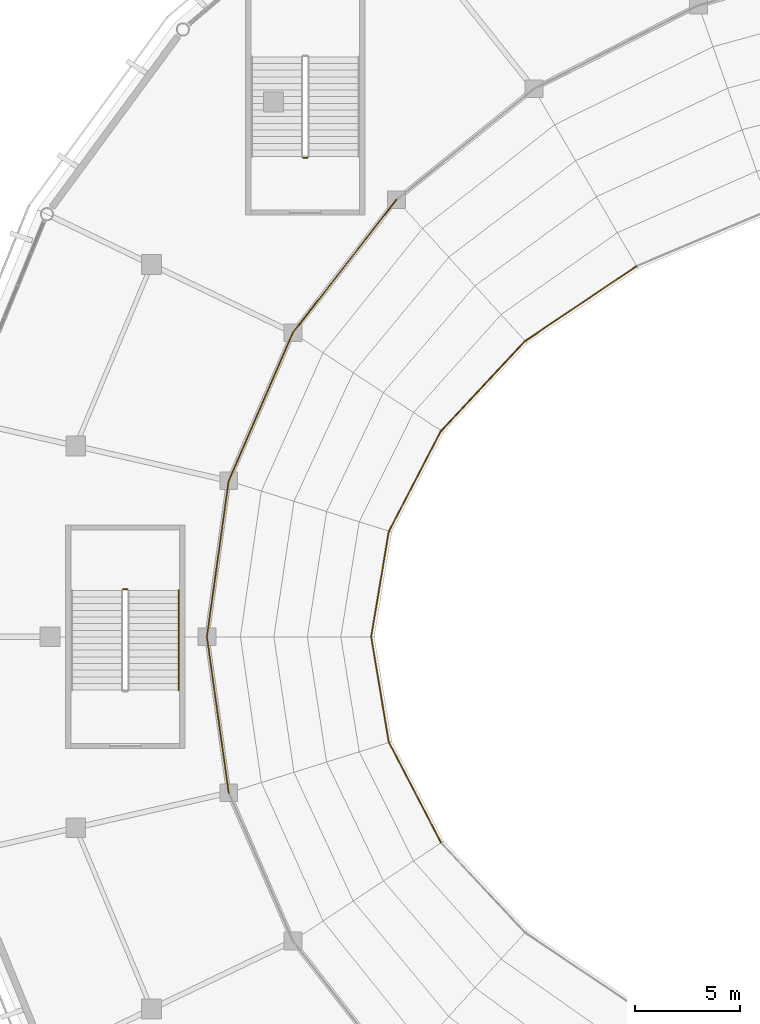
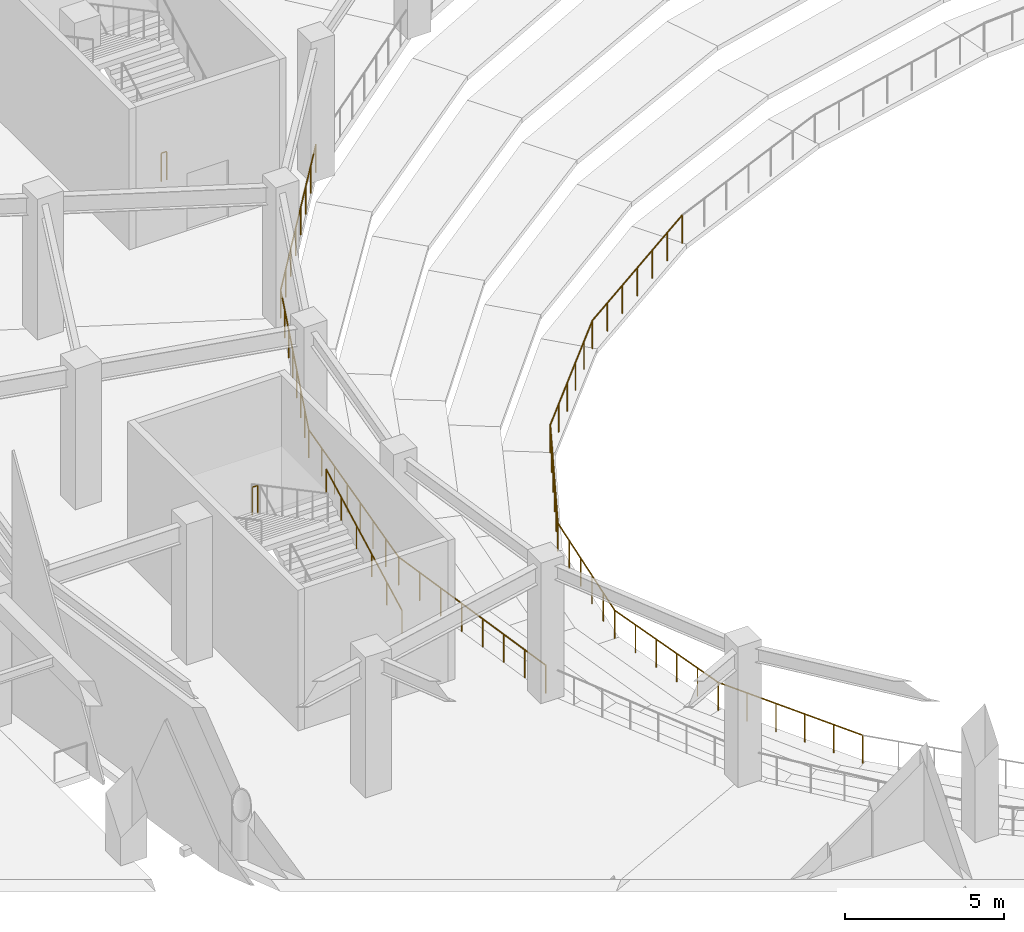
# One storey, part 102 of 120: 13 railings.
"""IFC4 building model written with IfcOpenShell, lengths in metres."""

import ifcopenshell
import ifcopenshell.guid

model = None  # the IFC model being written
_history = None  # IfcOwnerHistory: only IFC2X3 demands one
_inside = {}  # id of a spatial element -> (the spatial element, [elements in it])
_under = {}  # id of a project, library or spatial element -> (it, [spatial elements below it])
_declared = {}  # id of a project -> (the project, [libraries it declares])
_typed = {}  # id of a type object -> (the type object, [elements of that type])
_made_of = {}  # id of a material, layer set ... -> (it, [elements and type objects made of it])


def new_model(schema):
    """Start an empty IFC model of exactly this schema.

    Asked for "IFC4X3", IfcOpenShell would pick the latest addendum, in which some entities
    have other attributes; the version numbers below select the first issue.
    IFC2X3 requires an IfcOwnerHistory on every rooted entity: one is made here for all.
    """
    global model, _history
    if schema == "IFC4X3":
        model = ifcopenshell.file(schema_version=(4, 3, 0, 0))
    else:
        model = ifcopenshell.file(schema=schema)
    _inside.clear()
    _under.clear()
    _declared.clear()
    _typed.clear()
    _made_of.clear()
    _history = None
    if model.schema == "IFC2X3":
        org = make("IfcOrganization", Name="unknown")
        user = make(
            "IfcPersonAndOrganization",
            ThePerson=make("IfcPerson", FamilyName="unknown"),
            TheOrganization=org,
        )
        app = make(
            "IfcApplication",
            ApplicationDeveloper=org,
            Version="unknown",
            ApplicationFullName="unknown",
            ApplicationIdentifier="unknown",
        )
        _history = make(
            "IfcOwnerHistory",
            OwningUser=user,
            OwningApplication=app,
            ChangeAction="ADDED",
            CreationDate=0,
        )
    return model


def make(cls, **values):
    """One entity of the class cls with the attributes given. An attribute that is None is left unset."""
    return model.create_entity(
        cls, **{name: value for name, value in values.items() if value is not None}
    )


def rooted(cls, **values):
    """An entity with a GlobalId (a new one), such as an element, a storey or a relation."""
    return make(cls, GlobalId=ifcopenshell.guid.new(), OwnerHistory=_history, **values)


def si_unit(unit_type, name, prefix=None):
    """IfcSIUnit, for example si_unit("LENGTHUNIT", "METRE", prefix="MILLI")."""
    return make("IfcSIUnit", UnitType=unit_type, Prefix=prefix, Name=name)


def assignment(units):
    """IfcUnitAssignment: the units of a project."""
    return None if units is None else make("IfcUnitAssignment", Units=units)


def point(xyz):
    """IfcCartesianPoint."""
    return None if xyz is None else make("IfcCartesianPoint", Coordinates=xyz)


def direction(xyz):
    """IfcDirection."""
    return None if xyz is None else make("IfcDirection", DirectionRatios=xyz)


def frame(location, z_axis=None, x_axis=None):
    """IfcAxis2Placement3D, a coordinate frame: its origin and axes. An axis left out is left unset."""
    return make(
        "IfcAxis2Placement3D",
        Location=point(location),
        Axis=direction(z_axis),
        RefDirection=direction(x_axis),
    )


def frame_2d(location, x_axis=None):
    """IfcAxis2Placement2D, a coordinate frame in the plane: its origin and x axis."""
    return make(
        "IfcAxis2Placement2D", Location=point(location), RefDirection=direction(x_axis)
    )


def origin():
    """The frame at (0, 0, 0) with its axes left unset."""
    return frame((0.0, 0.0, 0.0))


def origin_2d():
    """The frame at (0, 0) in the plane with its x axis left unset."""
    return frame_2d((0.0, 0.0))


def place(relative_to, where):
    """IfcLocalPlacement: puts the frame where relative to a parent placement (None: the world)."""
    return make(
        "IfcLocalPlacement", PlacementRelTo=relative_to, RelativePlacement=where
    )


def context(
    kind, dimensions, precision=None, world=None, true_north=None, identifier=None
):
    """IfcGeometricRepresentationContext, for example the 3D "Model" context."""
    return make(
        "IfcGeometricRepresentationContext",
        ContextIdentifier=identifier,
        ContextType=kind,
        CoordinateSpaceDimension=dimensions,
        Precision=precision,
        WorldCoordinateSystem=world,
        TrueNorth=true_north,
    )


def subcontext(parent, identifier, kind, view, scale=None):
    """IfcGeometricRepresentationSubContext, for example "Body" below "Model"."""
    return make(
        "IfcGeometricRepresentationSubContext",
        ContextIdentifier=identifier,
        ContextType=kind,
        ParentContext=parent,
        TargetScale=scale,
        TargetView=view,
    )


def project(units=None, contexts=None):
    """IfcProject with its units and contexts."""
    return rooted(
        "IfcProject",
        Name="project",
        RepresentationContexts=contexts,
        UnitsInContext=assignment(units),
    )


def spatial(cls, under=None, at=None, **own):
    """A site, building, storey or space (cls), placed at a placement, below another one or the project."""
    s = rooted(cls, ObjectPlacement=at, **own)
    if under is not None:
        _under.setdefault(under.id(), (under, []))[1].append(s)
    return s


def profile(cls, at=None, kind="AREA", **sizes):
    """A parametric profile (cls). Its sizes go by their IFC names, for example OverallWidth=200.0."""
    return make(cls, ProfileType=kind, Position=at, **sizes)


def circle(**sizes):
    """IfcCircleProfileDef."""
    return profile("IfcCircleProfileDef", **sizes)


def extrude(swept, where, along, depth):
    """IfcExtrudedAreaSolid: the profile swept, set in the frame where, extruded along a direction by depth."""
    return make(
        "IfcExtrudedAreaSolid",
        SweptArea=swept,
        Position=where,
        ExtrudedDirection=direction(along),
        Depth=depth,
    )


def shape(context_of_items, identifier, shape_type, items):
    """IfcShapeRepresentation: the items that make up one representation, for example the "Body"."""
    return make(
        "IfcShapeRepresentation",
        ContextOfItems=context_of_items,
        RepresentationIdentifier=identifier,
        RepresentationType=shape_type,
        Items=items,
    )


def material(Name=None, Category=None):
    """IfcMaterial."""
    return make("IfcMaterial", Name=Name, Category=Category)


def made_of(thing, what):
    """Note that an element or type object is made of a material, layer set ...; save() writes the relation."""
    if what is not None:
        _made_of.setdefault(what.id(), (what, []))[1].append(thing)
    return thing


def type_object(cls, material=None, **own):
    """A type object (cls), such as IfcWallType, which elements share."""
    return made_of(rooted(cls, **own), material)


def element(
    cls,
    number,
    at=None,
    inside=None,
    cuts=None,
    type_object=None,
    material=None,
    context=None,
    identifier="Body",
    shape_type=None,
    held_by="IfcProductDefinitionShape",
    body=None,
    shapes=None,
    **own,
):
    """One element of the class cls, such as IfcWall. Its Tag is "e" and its number.

    at: its placement. inside: the storey or other place that contains it. cuts: it is an
    opening in that element (IfcRelVoidsElement). A single representation is given by context,
    identifier, shape_type and body (its items); several are given by shapes. held_by: the class
    of the entity that holds the representations. save() writes the other relations.
    """
    e = rooted(cls, Tag="e%d" % number, ObjectPlacement=at, **own)
    if body is not None:
        shapes = [shape(context, identifier, shape_type, body)]
    if shapes is not None:
        e.Representation = make(held_by, Representations=shapes)
    if inside is not None:
        _inside.setdefault(inside.id(), (inside, []))[1].append(e)
    if cuts is not None:
        rooted(
            "IfcRelVoidsElement", RelatingBuildingElement=cuts, RelatedOpeningElement=e
        )
    if type_object is not None:
        _typed.setdefault(type_object.id(), (type_object, []))[1].append(e)
    return made_of(e, material)


def aggregate(whole, parts):
    """IfcRelAggregates: a whole, such as a stair, and the parts it consists of."""
    return rooted("IfcRelAggregates", RelatingObject=whole, RelatedObjects=parts)


def save(model, path):
    """Write the relations noted so far, then the file.

    IfcRelAggregates (storeys below a building ...), IfcRelContainedInSpatialStructure (elements
    in a storey), IfcRelDefinesByType, IfcRelAssociatesMaterial and IfcRelDeclares: one each for
    every whole, place, type object, material and project.
    """
    for whole, parts in _under.values():
        aggregate(whole, parts)
    for where, things in _inside.values():
        rooted(
            "IfcRelContainedInSpatialStructure",
            RelatedElements=things,
            RelatingStructure=where,
        )
    for kind, things in _typed.values():
        rooted("IfcRelDefinesByType", RelatedObjects=things, RelatingType=kind)
    for what, things in _made_of.values():
        rooted("IfcRelAssociatesMaterial", RelatedObjects=things, RelatingMaterial=what)
    for by, libraries in _declared.values():
        rooted("IfcRelDeclares", RelatingContext=by, RelatedDefinitions=libraries)
    model.write(path)


model = new_model("IFC4")

# Units and contexts
model_context = context("Model", 3, precision=1e-05, world=origin(), true_north=direction((0.0, 1.0)))
body_context = subcontext(model_context, "Body", "Model", "MODEL_VIEW")
ifc_project = project(units=[si_unit("LENGTHUNIT", "METRE"), si_unit("AREAUNIT", "SQUARE_METRE"), si_unit("VOLUMEUNIT", "CUBIC_METRE"), si_unit("PLANEANGLEUNIT", "RADIAN"), si_unit("MASSUNIT", "GRAM", prefix="KILO")], contexts=[model_context])

# Site, building, storey
site_placement = place(None, origin())
site = spatial("IfcSite", under=ifc_project, at=site_placement, CompositionType="ELEMENT")
building_placement = place(site_placement, origin())
building = spatial("IfcBuilding", under=site, at=building_placement, Name="Cuetzalor Civic Arena", CompositionType="ELEMENT")
storey_placement = place(building_placement, frame((0.0, 0.0, 6.0)))
storey = spatial("IfcBuildingStorey", under=building, at=storey_placement, Name="L01", CompositionType="ELEMENT", Elevation=6.0)

# Railings
ifc_material_1 = material(Name="Reseda-green Steel S355 and laminated glass guard", Category="steel")
railing_type_1 = type_object("IfcRailingType", Name="BowlSightlineGuard_1100", PredefinedType="BALUSTRADE", material=ifc_material_1)
railing_1_placement = place(storey_placement, frame((-20.98046875, 17.70849609375, -4.800048828125)))
element("IfcRailing", 1, at=railing_1_placement, inside=storey, type_object=railing_type_1, Name="Lower Bowl Front Sightline Guard S11", PredefinedType="BALUSTRADE", context=body_context, shape_type="SweptSolid", body=[
    extrude(circle(Radius=0.02392578125, at=origin_2d()), frame((0.0, 0.0, 1.076171875), z_axis=(-0.829574202753, -0.558396491864, 0.0), x_axis=(0.558396491864, -0.829574202753, 0.0)), (0.0, 0.0, 1.0), 6.422607421875),
    extrude(circle(Radius=0.02099609375, at=origin_2d()), origin(), (0.0, 0.0, 1.0), 1.052001953125),
    extrude(circle(Radius=0.02099609375, at=origin_2d()), frame((-0.887939453125, -0.59765625, 0.0)), (0.0, 0.0, 1.0), 1.052001953125),
    extrude(circle(Radius=0.02099609375, at=origin_2d()), frame((-1.776123046875, -1.195556640625, 0.0)), (0.0, 0.0, 1.0), 1.052001953125),
    extrude(circle(Radius=0.02099609375, at=origin_2d()), frame((-2.6640625, -1.793212890625, 0.0)), (0.0, 0.0, 1.0), 1.052001953125),
    extrude(circle(Radius=0.02099609375, at=origin_2d()), frame((-3.552001953125, -2.390869140625, 0.0)), (0.0, 0.0, 1.0), 1.052001953125),
    extrude(circle(Radius=0.02099609375, at=origin_2d()), frame((-4.440185546875, -2.98876953125, 0.0)), (0.0, 0.0, 1.0), 1.052001953125),
    extrude(circle(Radius=0.02099609375, at=origin_2d()), frame((-5.328125, -3.58642578125, 0.0)), (0.0, 0.0, 1.0), 1.052001953125),
])
railing_2_placement = place(storey_placement, frame((-26.30859375, 14.1220703125, -4.800048828125)))
element("IfcRailing", 2, at=railing_2_placement, inside=storey, type_object=railing_type_1, Name="Lower Bowl Front Sightline Guard S12", PredefinedType="BALUSTRADE", context=body_context, shape_type="SweptSolid", body=[
    extrude(circle(Radius=0.02392578125, at=origin_2d()), frame((0.0, 0.0, 1.076171875), z_axis=(-0.68237895225, -0.73099860843, 0.0), x_axis=(0.73099860843, -0.68237895225, 0.0)), (0.0, 0.0, 1.0), 5.875),
    extrude(circle(Radius=0.02099609375, at=origin_2d()), origin(), (0.0, 0.0, 1.0), 1.052001953125),
    extrude(circle(Radius=0.02099609375, at=origin_2d()), frame((-0.8017578125, -0.85888671875, 0.0)), (0.0, 0.0, 1.0), 1.052001953125),
    extrude(circle(Radius=0.02099609375, at=origin_2d()), frame((-1.603515625, -1.7177734375, 0.0)), (0.0, 0.0, 1.0), 1.052001953125),
    extrude(circle(Radius=0.02099609375, at=origin_2d()), frame((-2.405517578125, -2.576904296875, 0.0)), (0.0, 0.0, 1.0), 1.052001953125),
    extrude(circle(Radius=0.02099609375, at=origin_2d()), frame((-3.207275390625, -3.435791015625, 0.0)), (0.0, 0.0, 1.0), 1.052001953125),
    extrude(circle(Radius=0.02099609375, at=origin_2d()), frame((-4.009033203125, -4.294677734375, 0.0)), (0.0, 0.0, 1.0), 1.052001953125),
])
railing_3_placement = place(storey_placement, frame((-30.317626953125, 9.827392578125, -4.800048828125)))
element("IfcRailing", 3, at=railing_3_placement, inside=storey, type_object=railing_type_1, Name="Lower Bowl Front Sightline Guard S13", PredefinedType="BALUSTRADE", context=body_context, shape_type="SweptSolid", body=[
    extrude(circle(Radius=0.02392578125, at=origin_2d()), frame((0.0, 0.0, 1.076171875), z_axis=(-0.46125728024, -0.88726643204, 0.0), x_axis=(0.88726643204, -0.46125728024, 0.0)), (0.0, 0.0, 1.0), 5.3955078125),
    extrude(circle(Radius=0.02099609375, at=origin_2d()), origin(), (0.0, 0.0, 1.0), 1.052001953125),
    extrude(circle(Radius=0.02099609375, at=origin_2d()), frame((-0.497802734375, -0.95751953125, 0.0)), (0.0, 0.0, 1.0), 1.052001953125),
    extrude(circle(Radius=0.02099609375, at=origin_2d()), frame((-0.99560546875, -1.9150390625, 0.0)), (0.0, 0.0, 1.0), 1.052001953125),
    extrude(circle(Radius=0.02099609375, at=origin_2d()), frame((-1.4931640625, -2.872314453125, 0.0)), (0.0, 0.0, 1.0), 1.052001953125),
    extrude(circle(Radius=0.02099609375, at=origin_2d()), frame((-1.990966796875, -3.829833984375, 0.0)), (0.0, 0.0, 1.0), 1.052001953125),
    extrude(circle(Radius=0.02099609375, at=origin_2d()), frame((-2.48876953125, -4.787353515625, 0.0)), (0.0, 0.0, 1.0), 1.052001953125),
])
railing_4_placement = place(storey_placement, frame((-32.806396484375, 5.0400390625, -4.800048828125)))
element("IfcRailing", 4, at=railing_4_placement, inside=storey, type_object=railing_type_1, Name="Lower Bowl Front Sightline Guard S14", PredefinedType="BALUSTRADE", context=body_context, shape_type="SweptSolid", body=[
    extrude(circle(Radius=0.02392578125, at=origin_2d()), frame((0.0, 0.0, 1.076171875), z_axis=(-0.165065227875, -0.986282652462, 0.0), x_axis=(0.986282652462, -0.165065227875, 0.0)), (0.0, 0.0, 1.0), 5.110107421875),
    extrude(circle(Radius=0.02099609375, at=origin_2d()), origin(), (0.0, 0.0, 1.0), 1.052001953125),
    extrude(circle(Radius=0.02099609375, at=origin_2d()), frame((-0.168701171875, -1.008056640625, 0.0)), (0.0, 0.0, 1.0), 1.052001953125),
    extrude(circle(Radius=0.02099609375, at=origin_2d()), frame((-0.33740234375, -2.01611328125, 0.0)), (0.0, 0.0, 1.0), 1.052001953125),
    extrude(circle(Radius=0.02099609375, at=origin_2d()), frame((-0.506103515625, -3.02392578125, 0.0)), (0.0, 0.0, 1.0), 1.052001953125),
    extrude(circle(Radius=0.02099609375, at=origin_2d()), frame((-0.6748046875, -4.031982421875, 0.0)), (0.0, 0.0, 1.0), 1.052001953125),
    extrude(circle(Radius=0.02099609375, at=origin_2d()), frame((-0.843505859375, -5.0400390625, 0.0)), (0.0, 0.0, 1.0), 1.052001953125),
])
railing_5_placement = place(storey_placement, frame((-33.64990234375, 0.0, -4.800048828125)))
element("IfcRailing", 5, at=railing_5_placement, inside=storey, type_object=railing_type_1, Name="Lower Bowl Front Sightline Guard S15", PredefinedType="BALUSTRADE", context=body_context, shape_type="SweptSolid", body=[
    extrude(circle(Radius=0.02392578125, at=origin_2d()), frame((0.0, 0.0, 1.076171875), z_axis=(0.165065227875, -0.986282652462, 0.0), x_axis=(0.986282652462, 0.165065227875, 0.0)), (0.0, 0.0, 1.0), 5.110107421875),
    extrude(circle(Radius=0.02099609375, at=origin_2d()), origin(), (0.0, 0.0, 1.0), 1.052001953125),
    extrude(circle(Radius=0.02099609375, at=origin_2d()), frame((0.168701171875, -1.008056640625, 0.0)), (0.0, 0.0, 1.0), 1.052001953125),
    extrude(circle(Radius=0.02099609375, at=origin_2d()), frame((0.33740234375, -2.01611328125, 0.0)), (0.0, 0.0, 1.0), 1.052001953125),
    extrude(circle(Radius=0.02099609375, at=origin_2d()), frame((0.506103515625, -3.02392578125, 0.0)), (0.0, 0.0, 1.0), 1.052001953125),
    extrude(circle(Radius=0.02099609375, at=origin_2d()), frame((0.6748046875, -4.031982421875, 0.0)), (0.0, 0.0, 1.0), 1.052001953125),
    extrude(circle(Radius=0.02099609375, at=origin_2d()), frame((0.843505859375, -5.0400390625, 0.0)), (0.0, 0.0, 1.0), 1.052001953125),
])
railing_6_placement = place(storey_placement, frame((-32.806396484375, -5.0400390625, -4.800048828125)))
element("IfcRailing", 6, at=railing_6_placement, inside=storey, type_object=railing_type_1, Name="Lower Bowl Front Sightline Guard S16", PredefinedType="BALUSTRADE", context=body_context, shape_type="SweptSolid", body=[
    extrude(circle(Radius=0.02392578125, at=origin_2d()), frame((0.0, 0.0, 1.076171875), z_axis=(0.46125728024, -0.88726643204, 0.0), x_axis=(0.88726643204, 0.46125728024, 0.0)), (0.0, 0.0, 1.0), 5.3955078125),
    extrude(circle(Radius=0.02099609375, at=origin_2d()), origin(), (0.0, 0.0, 1.0), 1.052001953125),
    extrude(circle(Radius=0.02099609375, at=origin_2d()), frame((0.497802734375, -0.95751953125, 0.0)), (0.0, 0.0, 1.0), 1.052001953125),
    extrude(circle(Radius=0.02099609375, at=origin_2d()), frame((0.99560546875, -1.9150390625, 0.0)), (0.0, 0.0, 1.0), 1.052001953125),
    extrude(circle(Radius=0.02099609375, at=origin_2d()), frame((1.4931640625, -2.872314453125, 0.0)), (0.0, 0.0, 1.0), 1.052001953125),
    extrude(circle(Radius=0.02099609375, at=origin_2d()), frame((1.990966796875, -3.829833984375, 0.0)), (0.0, 0.0, 1.0), 1.052001953125),
    extrude(circle(Radius=0.02099609375, at=origin_2d()), frame((2.48876953125, -4.787353515625, 0.0)), (0.0, 0.0, 1.0), 1.052001953125),
])
railing_7_placement = place(storey_placement, frame((-32.446044921875, 20.886962890625, 0.0)))
element("IfcRailing", 7, at=railing_7_placement, inside=storey, type_object=railing_type_1, Name="Lower Bowl Concourse Rim Balustrade S12", PredefinedType="BALUSTRADE", context=body_context, shape_type="SweptSolid", body=[
    extrude(circle(Radius=0.02392578125, at=origin_2d()), frame((0.0, 0.0, 1.076171875), z_axis=(-0.614234549024, -0.78912351301, 0.0), x_axis=(0.78912351301, -0.614234549024, 0.0)), (0.0, 0.0, 1.0), 8.049072265625),
    extrude(circle(Radius=0.02099609375, at=origin_2d()), origin(), (0.0, 0.0, 1.0), 1.052001953125),
    extrude(circle(Radius=0.02099609375, at=origin_2d()), frame((-0.706298828125, -0.907470703125, 0.0)), (0.0, 0.0, 1.0), 1.052001953125),
    extrude(circle(Radius=0.02099609375, at=origin_2d()), frame((-1.41259765625, -1.814697265625, 0.0)), (0.0, 0.0, 1.0), 1.052001953125),
    extrude(circle(Radius=0.02099609375, at=origin_2d()), frame((-2.118896484375, -2.72216796875, 0.0)), (0.0, 0.0, 1.0), 1.052001953125),
    extrude(circle(Radius=0.02099609375, at=origin_2d()), frame((-2.8251953125, -3.629638671875, 0.0)), (0.0, 0.0, 1.0), 1.052001953125),
    extrude(circle(Radius=0.02099609375, at=origin_2d()), frame((-3.531494140625, -4.537109375, 0.0)), (0.0, 0.0, 1.0), 1.052001953125),
    extrude(circle(Radius=0.02099609375, at=origin_2d()), frame((-4.23779296875, -5.4443359375, 0.0)), (0.0, 0.0, 1.0), 1.052001953125),
    extrude(circle(Radius=0.02099609375, at=origin_2d()), frame((-4.944091796875, -6.351806640625, 0.0)), (0.0, 0.0, 1.0), 1.052001953125),
])
railing_8_placement = place(storey_placement, frame((-37.39013671875, 14.53515625, 0.0)))
element("IfcRailing", 8, at=railing_8_placement, inside=storey, type_object=railing_type_1, Name="Lower Bowl Concourse Rim Balustrade S13", PredefinedType="BALUSTRADE", context=body_context, shape_type="SweptSolid", body=[
    extrude(circle(Radius=0.02392578125, at=origin_2d()), frame((0.0, 0.0, 1.076171875), z_axis=(-0.397726401809, -0.917504065007, 0.0), x_axis=(0.917504065007, -0.397726401809, 0.0)), (0.0, 0.0, 1.0), 7.71728515625),
    extrude(circle(Radius=0.02099609375, at=origin_2d()), origin(), (0.0, 0.0, 1.0), 1.052001953125),
    extrude(circle(Radius=0.02099609375, at=origin_2d()), frame((-0.4384765625, -1.011474609375, 0.0)), (0.0, 0.0, 1.0), 1.052001953125),
    extrude(circle(Radius=0.02099609375, at=origin_2d()), frame((-0.876953125, -2.02294921875, 0.0)), (0.0, 0.0, 1.0), 1.052001953125),
    extrude(circle(Radius=0.02099609375, at=origin_2d()), frame((-1.3154296875, -3.034423828125, 0.0)), (0.0, 0.0, 1.0), 1.052001953125),
    extrude(circle(Radius=0.02099609375, at=origin_2d()), frame((-1.75390625, -4.046142578125, 0.0)), (0.0, 0.0, 1.0), 1.052001953125),
    extrude(circle(Radius=0.02099609375, at=origin_2d()), frame((-2.1923828125, -5.0576171875, 0.0)), (0.0, 0.0, 1.0), 1.052001953125),
    extrude(circle(Radius=0.02099609375, at=origin_2d()), frame((-2.630859375, -6.069091796875, 0.0)), (0.0, 0.0, 1.0), 1.052001953125),
    extrude(circle(Radius=0.02099609375, at=origin_2d()), frame((-3.0693359375, -7.08056640625, 0.0)), (0.0, 0.0, 1.0), 1.052001953125),
])
railing_9_placement = place(storey_placement, frame((-40.45947265625, 7.45458984375, 0.0)))
element("IfcRailing", 9, at=railing_9_placement, inside=storey, type_object=railing_type_1, Name="Lower Bowl Concourse Rim Balustrade S14", PredefinedType="BALUSTRADE", context=body_context, shape_type="SweptSolid", body=[
    extrude(circle(Radius=0.02392578125, at=origin_2d()), frame((0.0, 0.0, 1.076171875), z_axis=(-0.138241906656, -0.990398493155, 0.0), x_axis=(0.990398493155, -0.138241906656, 0.0)), (0.0, 0.0, 1.0), 7.52685546875),
    extrude(circle(Radius=0.02099609375, at=origin_2d()), origin(), (0.0, 0.0, 1.0), 1.052001953125),
    extrude(circle(Radius=0.02099609375, at=origin_2d()), frame((-0.148681640625, -1.06494140625, 0.0)), (0.0, 0.0, 1.0), 1.052001953125),
    extrude(circle(Radius=0.02099609375, at=origin_2d()), frame((-0.29736328125, -2.1298828125, 0.0)), (0.0, 0.0, 1.0), 1.052001953125),
    extrude(circle(Radius=0.02099609375, at=origin_2d()), frame((-0.446044921875, -3.19482421875, 0.0)), (0.0, 0.0, 1.0), 1.052001953125),
    extrude(circle(Radius=0.02099609375, at=origin_2d()), frame((-0.594482421875, -4.259765625, 0.0)), (0.0, 0.0, 1.0), 1.052001953125),
    extrude(circle(Radius=0.02099609375, at=origin_2d()), frame((-0.7431640625, -5.32470703125, 0.0)), (0.0, 0.0, 1.0), 1.052001953125),
    extrude(circle(Radius=0.02099609375, at=origin_2d()), frame((-0.891845703125, -6.3896484375, 0.0)), (0.0, 0.0, 1.0), 1.052001953125),
    extrude(circle(Radius=0.02099609375, at=origin_2d()), frame((-1.04052734375, -7.45458984375, 0.0)), (0.0, 0.0, 1.0), 1.052001953125),
])
railing_10_placement = place(storey_placement, frame((-41.5, 0.0, 0.0)))
element("IfcRailing", 10, at=railing_10_placement, inside=storey, type_object=railing_type_1, Name="Lower Bowl Concourse Rim Balustrade S15", PredefinedType="BALUSTRADE", context=body_context, shape_type="SweptSolid", body=[
    extrude(circle(Radius=0.02392578125, at=origin_2d()), frame((0.0, 0.0, 1.076171875), z_axis=(0.138241906656, -0.990398493155, 0.0), x_axis=(0.990398493155, 0.138241906656, 0.0)), (0.0, 0.0, 1.0), 7.52685546875),
    extrude(circle(Radius=0.02099609375, at=origin_2d()), origin(), (0.0, 0.0, 1.0), 1.052001953125),
    extrude(circle(Radius=0.02099609375, at=origin_2d()), frame((0.148681640625, -1.06494140625, 0.0)), (0.0, 0.0, 1.0), 1.052001953125),
    extrude(circle(Radius=0.02099609375, at=origin_2d()), frame((0.29736328125, -2.1298828125, 0.0)), (0.0, 0.0, 1.0), 1.052001953125),
    extrude(circle(Radius=0.02099609375, at=origin_2d()), frame((0.446044921875, -3.19482421875, 0.0)), (0.0, 0.0, 1.0), 1.052001953125),
    extrude(circle(Radius=0.02099609375, at=origin_2d()), frame((0.594482421875, -4.259765625, 0.0)), (0.0, 0.0, 1.0), 1.052001953125),
    extrude(circle(Radius=0.02099609375, at=origin_2d()), frame((0.7431640625, -5.32470703125, 0.0)), (0.0, 0.0, 1.0), 1.052001953125),
    extrude(circle(Radius=0.02099609375, at=origin_2d()), frame((0.891845703125, -6.3896484375, 0.0)), (0.0, 0.0, 1.0), 1.052001953125),
    extrude(circle(Radius=0.02099609375, at=origin_2d()), frame((1.04052734375, -7.45458984375, 0.0)), (0.0, 0.0, 1.0), 1.052001953125),
])
ifc_material_2 = material(Name="Reseda-green architectural Steel S355 balustrade", Category="steel")
railing_type_2 = type_object("IfcRailingType", Name="InteriorVoidBalustrade_1100", PredefinedType="BALUSTRADE", material=ifc_material_2)
for number, where, name in (
    (11, (-36.699951171875, 22.89990234375, 0.0), "L01 ST-04 stair guard 4"),
    (12, (-45.300048828125, 2.27001953125, 2.699951171875), "L01 ST-05 stair guard 2"),
):
    element("IfcRailing", number, at=place(storey_placement, frame(where)), inside=storey, type_object=railing_type_2, Name=name, PredefinedType="BALUSTRADE", context=body_context, shape_type="SweptSolid", body=[
        extrude(circle(Radius=0.02392578125, at=origin_2d()), frame((0.0, 0.0, 1.0810546875), z_axis=(-1.0, 0.0, 0.0), x_axis=(0.0, -1.0, 0.0)), (0.0, 0.0, 1.0), 0.199951171875),
        extrude(circle(Radius=0.02099609375, at=origin_2d()), origin(), (0.0, 0.0, 1.0), 1.056884765625),
        extrude(circle(Radius=0.02099609375, at=origin_2d()), frame((-0.199951171875, 0.0, 0.0)), (0.0, 0.0, 1.0), 1.056884765625),
    ])
ifc_material_3 = material(Name="Galvanised steel S355", Category="steel")
railing_type_3 = type_object("IfcRailingType", Name="StairPitchHandrail_900", PredefinedType="HANDRAIL", material=ifc_material_3)
railing_11_placement = place(storey_placement, frame((-42.85009765625, -2.550048828125, 0.168701171875)))
element("IfcRailing", 13, at=railing_11_placement, inside=storey, type_object=railing_type_3, Name="L01 ST-05 stair handrail 1", PredefinedType="HANDRAIL", context=body_context, shape_type="SweptSolid", body=[
    extrude(circle(Radius=0.02392578125, at=origin_2d()), frame((0.0, 0.0, 0.8759765625), z_axis=(0.0, 0.883332211103, 0.468747485143), x_axis=(-1.0, 0.0, 0.0)), (0.0, 0.0, 1.0), 5.400146484375),
    extrude(circle(Radius=0.02099609375, at=origin_2d()), origin(), (0.0, 0.0, 1.0), 0.851806640625),
    extrude(circle(Radius=0.02099609375, at=origin_2d()), frame((0.0, 0.9541015625, 0.50634765625)), (0.0, 0.0, 1.0), 0.851806640625),
    extrude(circle(Radius=0.02099609375, at=origin_2d()), frame((0.0, 1.907958984375, 1.012451171875)), (0.0, 0.0, 1.0), 0.851806640625),
    extrude(circle(Radius=0.02099609375, at=origin_2d()), frame((0.0, 2.862060546875, 1.518798828125)), (0.0, 0.0, 1.0), 0.851806640625),
    extrude(circle(Radius=0.02099609375, at=origin_2d()), frame((0.0, 3.81591796875, 2.02490234375)), (0.0, 0.0, 1.0), 0.851806640625),
    extrude(circle(Radius=0.02099609375, at=origin_2d()), frame((0.0, 4.77001953125, 2.53125)), (0.0, 0.0, 1.0), 0.851806640625),
])

save(model, "model.ifc")
